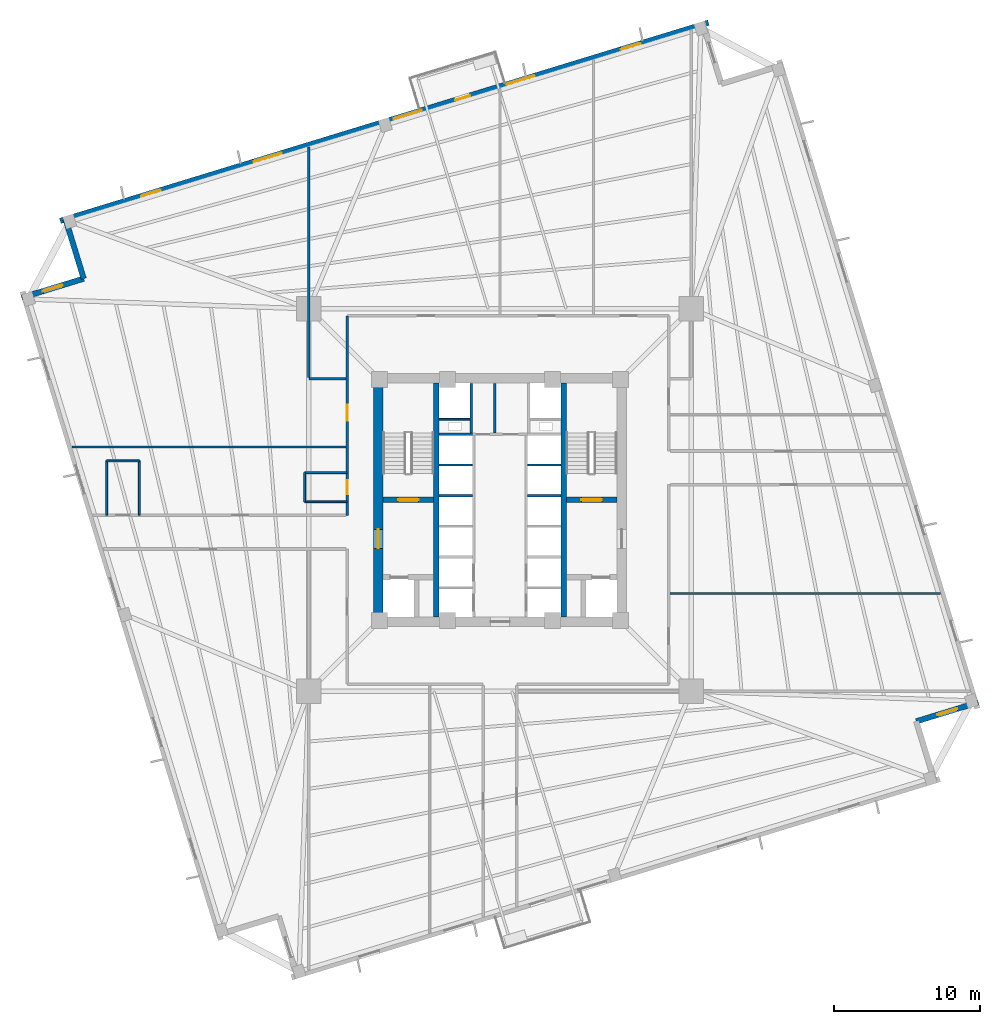
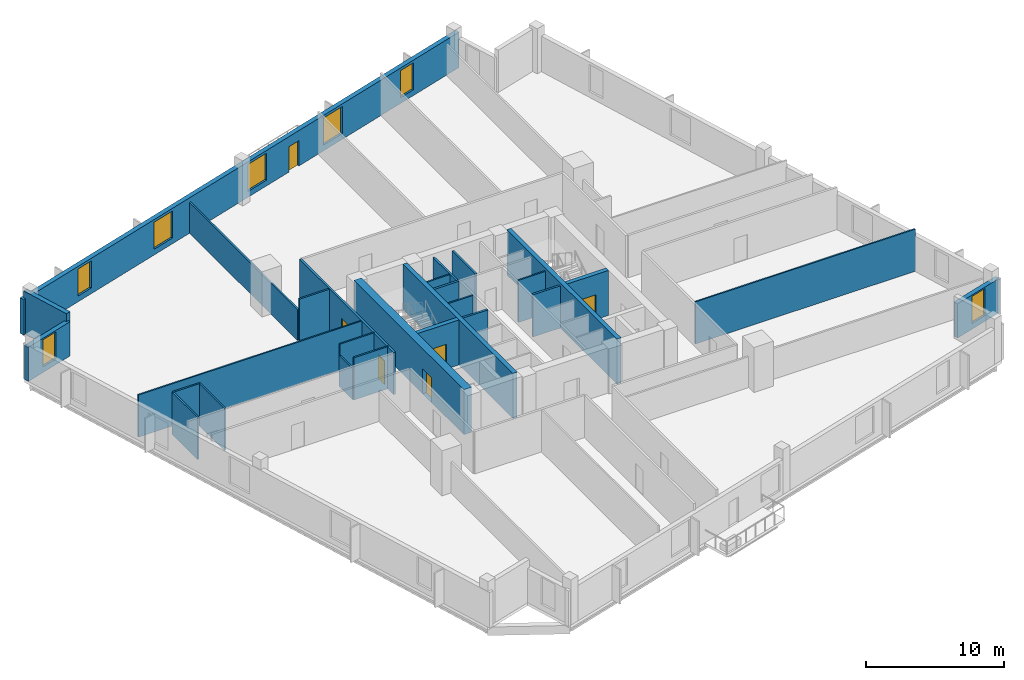
# One storey, part 4 of 9: 28 walls, 7 windows, 6 doors, 13 openings.
"""IFC4 building model written with IfcOpenShell, lengths in metres."""

from ifc_helpers import new_model, si_unit, direction, frame, frame_2d, origin, place, context, subcontext, project, spatial, rectangle, extrude, source, transform, mapped, material, layer, layer_set, type_object, element, fill, save


model = new_model("IFC4")

# Units and contexts
model_context = context("Model", 3, precision=1e-05, world=origin(), true_north=direction((0.0, 1.0)))
body_context = subcontext(model_context, "Body", "Model", "MODEL_VIEW")
ifc_project = project(units=[si_unit("LENGTHUNIT", "METRE"), si_unit("AREAUNIT", "SQUARE_METRE"), si_unit("VOLUMEUNIT", "CUBIC_METRE"), si_unit("PLANEANGLEUNIT", "RADIAN"), si_unit("MASSUNIT", "GRAM", prefix="KILO"), si_unit("THERMODYNAMICTEMPERATUREUNIT", "KELVIN")], contexts=[model_context])

# Site, building, storey
site_placement = place(None, origin())
site = spatial("IfcSite", under=ifc_project, at=site_placement, CompositionType="ELEMENT")
building_placement = place(site_placement, origin())
building = spatial("IfcBuilding", under=site, at=building_placement, Name="Kosmvard Interchange Tower", CompositionType="ELEMENT")
storey_placement = place(building_placement, frame((0.0, 0.0, 127.199951171875)))
storey = spatial("IfcBuildingStorey", under=building, at=storey_placement, Name="L30", CompositionType="ELEMENT", Elevation=127.199951171875)

# Walls
ifc_material_1 = material(Name="Acoustic gypsum partition system")
ifc_layer_1 = layer(ifc_material_1, 0.14990234375, Name="Acoustic gypsum partition system")
ifc_layer_set_1 = layer_set([ifc_layer_1], Name="Acoustic gypsum partition system")
wall_type_1 = type_object("IfcWallType", Name="Acoustic Suite & Meeting Partition 150", PredefinedType="PARTITIONING", material=ifc_layer_set_1)
wall_1_placement = place(storey_placement, frame((-10.544921875, 8.300048828125, 0.0), z_axis=(0.0, 0.0, 1.0), x_axis=(-1.0, 0.0, 0.0)))
element("IfcWall", 1, at=wall_1_placement, inside=storey, type_object=wall_type_1, Name="L30 Room Partition 01.1", PredefinedType="PARTITIONING", context=body_context, shape_type="SweptSolid", body=[
    extrude(rectangle(XDim=2.5361328125, YDim=0.14990234375, at=frame_2d((1.26806640625, 0.0))), origin(), (0.0, 0.0, 1.0), 3.739990234375),
])
wall_2_placement = place(storey_placement, frame((-13.0810546875, 8.375, 0.0), z_axis=(0.0, 0.0, 1.0), x_axis=(0.0, 1.0, 0.0)))
element("IfcWall", 2, at=wall_2_placement, inside=storey, type_object=wall_type_1, Name="L30 Room Partition 02.1", PredefinedType="PARTITIONING", context=body_context, shape_type="SweptSolid", body=[
    extrude(rectangle(XDim=15.79150390625, YDim=0.14990234375, at=frame_2d((7.895751953125, 0.0))), origin(), (0.0, 0.0, 1.0), 2.73193359375),
])
ifc_material_2 = material(Name="Fire-rated gypsum partition system")
ifc_layer_2 = layer(ifc_material_2, 0.159912109375, Name="Fire-rated gypsum partition system")
ifc_layer_set_2 = layer_set([ifc_layer_2], Name="Fire-rated gypsum partition system")
wall_type_2 = type_object("IfcWallType", Name="Core Compartment & Shuttle Lobby Partition 160", PredefinedType="PARTITIONING", material=ifc_layer_set_2)
wall_3_placement = place(storey_placement, frame((-1.9599609375, 4.580078125, 0.0), z_axis=(0.0, 0.0, 1.0), x_axis=(0.0, 1.0, 0.0)))
element("IfcWall", 3, at=wall_3_placement, inside=storey, type_object=wall_type_2, Name="L30 North Core West Wall", PredefinedType="PARTITIONING", context=body_context, shape_type="SweptSolid", body=[
    extrude(rectangle(XDim=3.39990234375, YDim=0.159912109375, at=frame_2d((1.699951171875, 0.0))), origin(), (0.0, 0.0, 1.0), 3.739990234375),
])
ifc_material_3 = material(Name="Concrete blockwork masonry", Category="masonry")
ifc_layer_3 = layer(ifc_material_3, 0.159912109375, Name="Concrete blockwork masonry")
ifc_layer_set_3 = layer_set([ifc_layer_3], Name="Concrete blockwork masonry")
wall_type_3 = type_object("IfcWallType", Name="Core Enclosure Split Wall 160", PredefinedType="PARTITIONING", material=ifc_layer_set_3)
wall_4_placement = place(storey_placement, frame((-0.35009765625, 4.60009765625, 0.0), z_axis=(0.0, 0.0, 1.0), x_axis=(0.0, 1.0, 0.0)))
element("IfcWall", 4, at=wall_4_placement, inside=storey, type_object=wall_type_3, Name="L30 Core K2 Split Wall", PredefinedType="PARTITIONING", context=body_context, shape_type="SweptSolid", body=[
    extrude(rectangle(XDim=3.3798828125, YDim=0.159912109375, at=frame_2d((1.68994140625, 0.0))), origin(), (0.0, 0.0, 1.0), 3.739990234375),
])

# Wall, openings, doors
ifc_layer_4 = layer(ifc_material_2, 0.179931640625, Name="Fire-rated gypsum partition system")
ifc_layer_set_4 = layer_set([ifc_layer_4], Name="Fire-rated gypsum partition system")
wall_type_4 = type_object("IfcWallType", Name="Corridor & Hotel Compartment Partition 180", PredefinedType="PARTITIONING", material=ifc_layer_set_4)
wall_5_placement = place(storey_placement, frame((-10.449951171875, -1.050048828125, 0.0), z_axis=(0.0, 0.0, 1.0), x_axis=(0.0, 1.0, 0.0)))
wall_5 = element("IfcWall", 5, at=wall_5_placement, inside=storey, type_object=wall_type_4, Name="L30 Corridor Wall CWN", PredefinedType="PARTITIONING", context=body_context, shape_type="SweptSolid", body=[
    extrude(rectangle(XDim=13.650146484375, YDim=0.179931640625, at=frame_2d((6.8251953125, 0.0))), origin(), (0.0, 0.0, 1.0), 3.739990234375),
])
opening_1_placement = place(wall_5_placement, frame((1.455078125, 0.0, 0.0)))
opening_1 = element("IfcOpeningElement", 6, at=opening_1_placement, cuts=wall_5, Name="Opening L30-D01", PredefinedType="OPENING", context=body_context, shape_type="SweptSolid", body=[
    extrude(rectangle(XDim=0.949951171875, YDim=2.10009765625, at=frame_2d((0.47509765625, 1.050048828125))), frame((0.0, 0.10009765625, 0.0), z_axis=(0.0, -1.0, 0.0), x_axis=(1.0, 0.0, 0.0)), (0.0, 0.0, 1.0), 0.199951171875),
])
opening_2_placement = place(wall_5_placement, frame((6.46240234375, 0.0, 0.0)))
opening_2 = element("IfcOpeningElement", 7, at=opening_2_placement, cuts=wall_5, Name="Opening L30-D04", PredefinedType="OPENING", context=body_context, shape_type="SweptSolid", body=[
    extrude(rectangle(XDim=1.10009765625, YDim=2.199951171875, at=frame_2d((0.550048828125, 1.10009765625))), frame((0.0, 0.10009765625, 0.0), z_axis=(0.0, -1.0, 0.0), x_axis=(1.0, 0.0, 0.0)), (0.0, 0.0, 1.0), 0.199951171875),
])
ifc_material_4 = material(Name="Laminated moisture-resistant timber", Category="wood")
door_type_1 = type_object("IfcDoorType", Name="Accessible Washroom Door 950x2100", OperationType="NOTDEFINED", PredefinedType="DOOR", material=ifc_material_4)
shared_shape_1 = source(origin(), body_context, "Body", "SweptSolid", [
    extrude(rectangle(XDim=0.949951171875, YDim=2.10009765625, at=frame_2d((0.47509765625, 1.050048828125))), frame((0.0, 0.02490234375, 0.0), z_axis=(0.0, -1.0, 0.0), x_axis=(1.0, 0.0, 0.0)), (0.0, 0.0, 1.0), 0.050048828125),
])
door_1_placement = place(opening_1_placement, origin())
door_1 = element("IfcDoor", 8, at=door_1_placement, inside=storey, type_object=door_type_1, Name="L30 Accessible Toilet Door", OperationType="SINGLE_SWING_LEFT", OverallHeight=2.10009765625, OverallWidth=0.949951171875, PredefinedType="DOOR", context=body_context, shape_type="MappedRepresentation", body=[
    mapped(shared_shape_1, transform((0.0, 0.0, 0.0), scale=1.0)),
])
fill(opening_1, door_1)
ifc_material_5 = material(Name="Engineered oak fire-rated timber", Category="wood")
door_type_2 = type_object("IfcDoorType", Name="Office Suite Entrance Door 1100x2200 FD30S", OperationType="NOTDEFINED", PredefinedType="DOOR", material=ifc_material_5)
shared_shape_2 = source(origin(), body_context, "Body", "SweptSolid", [
    extrude(rectangle(XDim=1.10009765625, YDim=2.199951171875, at=frame_2d((0.550048828125, 1.10009765625))), frame((0.0, 0.02490234375, 0.0), z_axis=(0.0, -1.0, 0.0), x_axis=(1.0, 0.0, 0.0)), (0.0, 0.0, 1.0), 0.050048828125),
])
door_2_placement = place(opening_2_placement, origin())
door_2 = element("IfcDoor", 9, at=door_2_placement, inside=storey, type_object=door_type_2, Name="L30 Document Vault Store Door", OperationType="SINGLE_SWING_RIGHT", OverallHeight=2.199951171875, OverallWidth=1.10009765625, PredefinedType="DOOR", context=body_context, shape_type="MappedRepresentation", body=[
    mapped(shared_shape_2, transform((0.0, 0.0, 0.0), scale=1.0)),
])
fill(opening_2, door_2)

# Wall, opening, window
ifc_material_6 = material(Name="Precast concrete C45/55", Category="concrete")
ifc_layer_5 = layer(ifc_material_6, 0.3798828125, Name="Precast concrete C45/55")
ifc_layer_set_5 = layer_set([ifc_layer_5], Name="Precast concrete C45/55")
wall_type_5 = type_object("IfcWallType", Name="Lower Tower Precast Pier Wall 380 C45/55", PredefinedType="STANDARD", material=ifc_layer_set_5)
wall_6_placement = place(storey_placement, frame((28.482421875, -15.144287109375, 0.0), z_axis=(0.0, 0.0, 1.0), x_axis=(0.956304176051, 0.292373601522, 0.0)))
wall_6 = element("IfcWall", 10, at=wall_6_placement, inside=storey, type_object=wall_type_5, Name="L30 Precast Facade Wall N-SE2", PredefinedType="STANDARD", context=body_context, shape_type="SweptSolid", body=[
    extrude(rectangle(XDim=4.43994140625, YDim=0.3798828125, at=frame_2d((2.219970703125, 0.0))), origin(), (0.0, 0.0, 1.0), 3.0400390625),
])
opening_3_placement = place(wall_6_placement, frame((1.52001953125, 0.0, 0.510009765625)))
opening_3 = element("IfcOpeningElement", 11, at=opening_3_placement, cuts=wall_6, Name="Opening L30-W20", PredefinedType="OPENING", context=body_context, shape_type="SweptSolid", body=[
    extrude(rectangle(XDim=1.39990234375, YDim=2.39990234375, at=frame_2d((0.699951171875, 1.199951171875))), frame((0.0, 0.199951171875, 0.0), z_axis=(0.0, -1.0, 0.0), x_axis=(1.0, 0.0, 0.0)), (0.0, 0.0, 1.0), 0.39990234375),
])
ifc_material_7 = material(Name="Low-E solar-control double glazing", Category="glass")
window_type_1 = type_object("IfcWindowType", Name="Notched Corner Feature Window 1400x2400", PartitioningType="SINGLE_PANEL", PredefinedType="WINDOW", material=ifc_material_7)
shared_shape_3 = source(origin(), body_context, "Body", "SweptSolid", [
    extrude(rectangle(XDim=1.39990234375, YDim=2.39990234375, at=frame_2d((0.699951171875, 1.199951171875))), frame((0.0, 0.030029296875, 0.0), z_axis=(0.0, -1.0, 0.0), x_axis=(1.0, 0.0, 0.0)), (0.0, 0.0, 1.0), 0.06005859375),
])
window_1_placement = place(opening_3_placement, origin())
window_1 = element("IfcWindow", 12, at=window_1_placement, inside=storey, type_object=window_type_1, Name="L30 Corner Notch Window 20", OverallHeight=2.39990234375, OverallWidth=1.39990234375, PartitioningType="SINGLE_PANEL", PredefinedType="WINDOW", context=body_context, shape_type="MappedRepresentation", body=[
    mapped(shared_shape_3, transform((0.0, 0.0, 0.0), scale=1.0)),
])
fill(opening_3, window_1)

# Wall, openings, door, windows
wall_7_placement = place(storey_placement, frame((14.26513671875, 32.65771484375, 0.0), z_axis=(0.0, 0.0, 1.0), x_axis=(-0.956304320851, -0.292373127906, 0.0)))
wall_7 = element("IfcWall", 13, at=wall_7_placement, inside=storey, type_object=wall_type_5, Name="L30 Precast Facade Wall F-N", PredefinedType="STANDARD", context=body_context, shape_type="SweptSolid", body=[
    extrude(rectangle(XDim=46.380126953125, YDim=0.3798828125, at=frame_2d((23.18994140625, 0.0))), origin(), (0.0, 0.0, 1.0), 3.14013671875),
])
opening_4_placement = place(wall_7_placement, frame((17.06494140625, 0.0, 0.0)))
opening_4 = element("IfcOpeningElement", 14, at=opening_4_placement, cuts=wall_7, Name="Opening L30-BDN", PredefinedType="OPENING", context=body_context, shape_type="SweptSolid", body=[
    extrude(rectangle(XDim=1.050048828125, YDim=2.25, at=frame_2d((0.52490234375, 1.125))), frame((0.0, 0.199951171875, 0.0), z_axis=(0.0, -1.0, 0.0), x_axis=(1.0, 0.0, 0.0)), (0.0, 0.0, 1.0), 0.39990234375),
])
opening_5_placement = place(wall_7_placement, frame((4.865478515625, 0.0, 0.510009765625)))
opening_5 = element("IfcOpeningElement", 15, at=opening_5_placement, cuts=wall_7, Name="Opening L30-W10", PredefinedType="OPENING", context=body_context, shape_type="SweptSolid", body=[
    extrude(rectangle(XDim=1.39990234375, YDim=2.39990234375, at=frame_2d((0.699951171875, 1.199951171875))), frame((0.0, 0.199951171875, 0.0), z_axis=(0.0, -1.0, 0.0), x_axis=(1.0, 0.0, 0.0)), (0.0, 0.0, 1.0), 0.39990234375),
])
opening_6_placement = place(wall_7_placement, frame((12.4501953125, 0.0, 0.510009765625)))
opening_6 = element("IfcOpeningElement", 16, at=opening_6_placement, cuts=wall_7, Name="Opening L30-W11", PredefinedType="OPENING", context=body_context, shape_type="SweptSolid", body=[
    extrude(rectangle(XDim=2.0, YDim=2.39990234375, at=frame_2d((1.0, 1.199951171875))), frame((0.0, 0.199951171875, 0.0), z_axis=(0.0, -1.0, 0.0), x_axis=(1.0, 0.0, 0.0)), (0.0, 0.0, 1.0), 0.39990234375),
])
opening_7_placement = place(wall_7_placement, frame((20.512451171875, 0.0, 0.510009765625)))
opening_7 = element("IfcOpeningElement", 17, at=opening_7_placement, cuts=wall_7, Name="Opening L30-W12", PredefinedType="OPENING", context=body_context, shape_type="SweptSolid", body=[
    extrude(rectangle(XDim=2.0, YDim=2.39990234375, at=frame_2d((1.0, 1.199951171875))), frame((0.0, 0.199951171875, 0.0), z_axis=(0.0, -1.0, 0.0), x_axis=(1.0, 0.0, 0.0)), (0.0, 0.0, 1.0), 0.39990234375),
])
opening_8_placement = place(wall_7_placement, frame((30.538330078125, 0.0, 0.510009765625)))
opening_8 = element("IfcOpeningElement", 18, at=opening_8_placement, cuts=wall_7, Name="Opening L30-W13", PredefinedType="OPENING", context=body_context, shape_type="SweptSolid", body=[
    extrude(rectangle(XDim=2.0, YDim=2.39990234375, at=frame_2d((1.0, 1.199951171875))), frame((0.0, 0.199951171875, 0.0), z_axis=(0.0, -1.0, 0.0), x_axis=(1.0, 0.0, 0.0)), (0.0, 0.0, 1.0), 0.39990234375),
])
opening_9_placement = place(wall_7_placement, frame((39.186767578125, 0.0, 0.510009765625)))
opening_9 = element("IfcOpeningElement", 19, at=opening_9_placement, cuts=wall_7, Name="Opening L30-W14", PredefinedType="OPENING", context=body_context, shape_type="SweptSolid", body=[
    extrude(rectangle(XDim=1.39990234375, YDim=2.39990234375, at=frame_2d((0.699951171875, 1.199951171875))), frame((0.0, 0.199951171875, 0.0), z_axis=(0.0, -1.0, 0.0), x_axis=(1.0, 0.0, 0.0)), (0.0, 0.0, 1.0), 0.39990234375),
])
ifc_material_8 = material(Name="Anodised aluminium and safety glass", Category="aluminium")
door_type_3 = type_object("IfcDoorType", Name="Tree-Balcony Glazed Door 1050x2250", OperationType="NOTDEFINED", PredefinedType="DOOR", material=ifc_material_8)
shared_shape_4 = source(origin(), body_context, "Body", "SweptSolid", [
    extrude(rectangle(XDim=1.050048828125, YDim=2.25, at=frame_2d((0.52490234375, 1.125))), frame((0.0, 0.02490234375, 0.0), z_axis=(0.0, -1.0, 0.0), x_axis=(1.0, 0.0, 0.0)), (0.0, 0.0, 1.0), 0.050048828125),
])
door_3_placement = place(opening_4_placement, origin())
door_3 = element("IfcDoor", 20, at=door_3_placement, inside=storey, type_object=door_type_3, Name="L30 Tree-Balcony Door BAL-L30-N", OperationType="SINGLE_SWING_LEFT", OverallHeight=2.25, OverallWidth=1.050048828125, PredefinedType="DOOR", context=body_context, shape_type="MappedRepresentation", body=[
    mapped(shared_shape_4, transform((0.0, 0.0, 0.0), scale=1.0)),
])
fill(opening_4, door_3)
window_2_placement = place(opening_5_placement, origin())
window_2 = element("IfcWindow", 21, at=window_2_placement, inside=storey, type_object=window_type_1, Name="L30 Facade Punched Window 10", OverallHeight=2.39990234375, OverallWidth=1.39990234375, PartitioningType="SINGLE_PANEL", PredefinedType="WINDOW", context=body_context, shape_type="MappedRepresentation", body=[
    mapped(shared_shape_3, transform((0.0, 0.0, 0.0), scale=1.0)),
])
fill(opening_5, window_2)
window_3_placement = place(opening_9_placement, origin())
window_3 = element("IfcWindow", 22, at=window_3_placement, inside=storey, type_object=window_type_1, Name="L30 Facade Punched Window 14", OverallHeight=2.39990234375, OverallWidth=1.39990234375, PartitioningType="SINGLE_PANEL", PredefinedType="WINDOW", context=body_context, shape_type="MappedRepresentation", body=[
    mapped(shared_shape_3, transform((0.0, 0.0, 0.0), scale=1.0)),
])
fill(opening_9, window_3)
window_type_2 = type_object("IfcWindowType", Name="Zone 2 Office Punched Window 2000x2400", PartitioningType="SINGLE_PANEL", PredefinedType="WINDOW", material=ifc_material_7)
shared_shape_5 = source(origin(), body_context, "Body", "SweptSolid", [
    extrude(rectangle(XDim=2.0, YDim=2.39990234375, at=frame_2d((1.0, 1.199951171875))), frame((0.0, 0.030029296875, 0.0), z_axis=(0.0, -1.0, 0.0), x_axis=(1.0, 0.0, 0.0)), (0.0, 0.0, 1.0), 0.06005859375),
])
window_4_placement = place(opening_6_placement, origin())
window_4 = element("IfcWindow", 23, at=window_4_placement, inside=storey, type_object=window_type_2, Name="L30 Facade Punched Window 11", OverallHeight=2.39990234375, OverallWidth=2.0, PartitioningType="SINGLE_PANEL", PredefinedType="WINDOW", context=body_context, shape_type="MappedRepresentation", body=[
    mapped(shared_shape_5, transform((0.0, 0.0, 0.0), scale=1.0)),
])
fill(opening_6, window_4)
window_5_placement = place(opening_7_placement, origin())
window_5 = element("IfcWindow", 24, at=window_5_placement, inside=storey, type_object=window_type_2, Name="L30 Facade Punched Window 12", OverallHeight=2.39990234375, OverallWidth=2.0, PartitioningType="SINGLE_PANEL", PredefinedType="WINDOW", context=body_context, shape_type="MappedRepresentation", body=[
    mapped(shared_shape_5, transform((0.0, 0.0, 0.0), scale=1.0)),
])
fill(opening_7, window_5)
window_6_placement = place(opening_8_placement, origin())
window_6 = element("IfcWindow", 25, at=window_6_placement, inside=storey, type_object=window_type_2, Name="L30 Facade Punched Window 13", OverallHeight=2.39990234375, OverallWidth=2.0, PartitioningType="SINGLE_PANEL", PredefinedType="WINDOW", context=body_context, shape_type="MappedRepresentation", body=[
    mapped(shared_shape_5, transform((0.0, 0.0, 0.0), scale=1.0)),
])
fill(opening_8, window_6)

# Wall
wall_8_placement = place(storey_placement, frame((-29.724853515625, 19.20849609375, 0.0), z_axis=(0.0, 0.0, 1.0), x_axis=(0.292345507338, -0.956312764915, 0.0)))
element("IfcWall", 26, at=wall_8_placement, inside=storey, type_object=wall_type_5, Name="L30 Precast Facade Wall N-NW1", PredefinedType="STANDARD", context=body_context, shape_type="SweptSolid", body=[
    extrude(rectangle(XDim=4.249755859375, YDim=0.3798828125, at=frame_2d((2.125, 0.0))), origin(), (0.0, 0.0, 1.0), 3.739990234375),
])

# Wall, opening, window
wall_9_placement = place(storey_placement, frame((-28.482421875, 15.144287109375, 0.0), z_axis=(0.0, 0.0, 1.0), x_axis=(-0.956304176051, -0.292373601522, 0.0)))
wall_9 = element("IfcWall", 27, at=wall_9_placement, inside=storey, type_object=wall_type_5, Name="L30 Precast Facade Wall N-NW2", PredefinedType="STANDARD", context=body_context, shape_type="SweptSolid", body=[
    extrude(rectangle(XDim=4.43994140625, YDim=0.3798828125, at=frame_2d((2.219970703125, 0.0))), origin(), (0.0, 0.0, 1.0), 3.0400390625),
])
opening_10_placement = place(wall_9_placement, frame((1.52001953125, 0.0, 0.510009765625)))
opening_10 = element("IfcOpeningElement", 28, at=opening_10_placement, cuts=wall_9, Name="Opening L30-W22", PredefinedType="OPENING", context=body_context, shape_type="SweptSolid", body=[
    extrude(rectangle(XDim=1.39990234375, YDim=2.39990234375, at=frame_2d((0.699951171875, 1.199951171875))), frame((0.0, 0.199951171875, 0.0), z_axis=(0.0, -1.0, 0.0), x_axis=(1.0, 0.0, 0.0)), (0.0, 0.0, 1.0), 0.39990234375),
])
window_7_placement = place(opening_10_placement, origin())
window_7 = element("IfcWindow", 29, at=window_7_placement, inside=storey, type_object=window_type_1, Name="L30 Corner Notch Window 22", OverallHeight=2.39990234375, OverallWidth=1.39990234375, PartitioningType="SINGLE_PANEL", PredefinedType="WINDOW", context=body_context, shape_type="MappedRepresentation", body=[
    mapped(shared_shape_3, transform((0.0, 0.0, 0.0), scale=1.0)),
])
fill(opening_10, window_7)

# Wall, opening, door
ifc_material_9 = material(Name="Concrete C70/85", Category="concrete")
ifc_layer_6 = layer(ifc_material_9, 0.64990234375, Name="Concrete C70/85")
ifc_layer_set_6 = layer_set([ifc_layer_6], Name="Concrete C70/85")
wall_type_6 = type_object("IfcWallType", Name="Mid Core Shear Wall 650 C70/85", PredefinedType="SHEAR", material=ifc_layer_set_6)
wall_10_placement = place(storey_placement, frame((-8.324951171875, -8.0, 0.0), z_axis=(0.0, 0.0, 1.0), x_axis=(0.0, 1.0, 0.0)))
wall_10 = element("IfcWall", 30, at=wall_10_placement, inside=storey, type_object=wall_type_6, Name="L30 Core Shear Wall CW-W", PredefinedType="SHEAR", context=body_context, shape_type="SweptSolid", body=[
    extrude(rectangle(XDim=16.0, YDim=0.64990234375, at=frame_2d((8.0, 0.0))), origin(), (0.0, 0.0, 1.0), 4.0),
])
opening_11_placement = place(wall_10_placement, frame((4.68994140625, 0.0, 0.0)))
opening_11 = element("IfcOpeningElement", 31, at=opening_11_placement, cuts=wall_10, Name="Opening L30-FD1", PredefinedType="OPENING", context=body_context, shape_type="SweptSolid", body=[
    extrude(rectangle(XDim=1.300048828125, YDim=2.199951171875, at=frame_2d((0.64990234375, 1.10009765625))), frame((0.0, 0.3349609375, 0.0), z_axis=(0.0, -1.0, 0.0), x_axis=(1.0, 0.0, 0.0)), (0.0, 0.0, 1.0), 0.669921875),
])
ifc_material_10 = material(Name="Painted fire-rated steel leaf", Category="steel")
door_type_4 = type_object("IfcDoorType", Name="Firefighting Lobby Door 1300x2200 EI60", OperationType="NOTDEFINED", PredefinedType="DOOR", material=ifc_material_10)
shared_shape_6 = source(origin(), body_context, "Body", "SweptSolid", [
    extrude(rectangle(XDim=1.300048828125, YDim=2.199951171875, at=frame_2d((0.64990234375, 1.10009765625))), frame((0.0, 0.02490234375, 0.0), z_axis=(0.0, -1.0, 0.0), x_axis=(1.0, 0.0, 0.0)), (0.0, 0.0, 1.0), 0.050048828125),
])
door_4_placement = place(opening_11_placement, frame((1.300048828125, 0.0, 0.0), z_axis=(0.0, 0.0, 1.0), x_axis=(-1.0, 0.0, 0.0)))
door_4 = element("IfcDoor", 32, at=door_4_placement, inside=storey, type_object=door_type_4, Name="L30 Firefighting Lobby West Door", OperationType="SINGLE_SWING_LEFT", OverallHeight=2.199951171875, OverallWidth=1.300048828125, PredefinedType="DOOR", context=body_context, shape_type="MappedRepresentation", body=[
    mapped(shared_shape_6, transform((0.0, 0.0, 0.0), scale=1.0)),
])
fill(opening_11, door_4)

# Walls
ifc_material_11 = material(Name="Gypsum board partition system")
ifc_layer_7 = layer(ifc_material_11, 0.1201171875, Name="Gypsum board partition system")
ifc_layer_set_7 = layer_set([ifc_layer_7], Name="Gypsum board partition system")
wall_type_7 = type_object("IfcWallType", Name="Office Cellular Partition 120", PredefinedType="PARTITIONING", material=ifc_layer_set_7)
wall_11_placement = place(storey_placement, frame((-29.27392578125, 3.625, 0.0), z_axis=(0.0, 0.0, 1.0), x_axis=(1.0, 0.0, 0.0)))
element("IfcWall", 33, at=wall_11_placement, inside=storey, type_object=wall_type_7, Name="L30 Room Partition 07.1", PredefinedType="PARTITIONING", context=body_context, shape_type="SweptSolid", body=[
    extrude(rectangle(XDim=18.72900390625, YDim=0.1201171875, at=frame_2d((9.364501953125, 0.0))), origin(), (0.0, 0.0, 1.0), 3.739990234375),
])
wall_12_placement = place(storey_placement, frame((11.64501953125, -6.39990234375, 0.0), z_axis=(0.0, 0.0, 1.0), x_axis=(1.0, 0.0, 0.0)))
element("IfcWall", 34, at=wall_12_placement, inside=storey, type_object=wall_type_7, Name="L30 Room Partition 10.1", PredefinedType="PARTITIONING", context=body_context, shape_type="SweptSolid", body=[
    extrude(rectangle(XDim=18.477294921875, YDim=0.1201171875, at=frame_2d((9.23876953125, 0.0))), origin(), (0.0, 0.0, 1.0), 3.739990234375),
])
ifc_layer_8 = layer(ifc_material_3, 0.179931640625, Name="Concrete blockwork masonry")
ifc_layer_set_8 = layer_set([ifc_layer_8], Name="Concrete blockwork masonry")
wall_type_8 = type_object("IfcWallType", Name="Riser & Lift Bank Divider Wall 180", PredefinedType="PARTITIONING", material=ifc_layer_set_8)
for number, where, z_axis, x_axis, name in (
    (35, (-4.169921875, 0.300048828125, 0.0), (0.0, 0.0, 1.0), (1.0, 0.0, 0.0), "L30 West Bank Divider BD2"),
    (36, (1.889892578125, 0.300048828125, 0.0), (0.0, 0.0, 1.0), (1.0, 0.0, 0.0), "L30 East Bank Divider BD2"),
    (37, (-4.169921875, 4.489990234375, 0.0), (0.0, 0.0, 1.0), (1.0, 0.0, 0.0), "L30 West Bank Divider BD3"),
):
    element("IfcWall", number, at=place(storey_placement, frame(where, z_axis=z_axis, x_axis=x_axis)), inside=storey, type_object=wall_type_8, Name=name, PredefinedType="PARTITIONING", context=body_context, shape_type="SweptSolid", body=[
        extrude(rectangle(XDim=2.280029296875, YDim=0.179931640625, at=frame_2d((1.14013671875, 0.0))), origin(), (0.0, 0.0, 1.0), 3.739990234375),
    ])
ifc_material_12 = material(Name="Fire-rated gypsum shaftwall system")
ifc_layer_9 = layer(ifc_material_12, 0.1201171875, Name="Fire-rated gypsum shaftwall system")
ifc_layer_set_9 = layer_set([ifc_layer_9], Name="Fire-rated gypsum shaftwall system")
wall_type_9 = type_object("IfcWallType", Name="Shaft & Riser Fire Partition 120 EI60", PredefinedType="PARTITIONING", material=ifc_layer_set_9)
for number, where, z_axis, x_axis, name in (
    (38, (-4.159912109375, 2.39990234375, 0.0), (0.0, 0.0, 1.0), (1.0, 0.0, 0.0), "L30 Shaft Divider PL-H1"),
    (39, (1.89990234375, 2.39990234375, 0.0), (0.0, 0.0, 1.0), (1.0, 0.0, 0.0), "L30 Shaft Divider PL-H3"),
):
    element("IfcWall", number, at=place(storey_placement, frame(where, z_axis=z_axis, x_axis=x_axis)), inside=storey, type_object=wall_type_9, Name=name, PredefinedType="PARTITIONING", context=body_context, shape_type="SweptSolid", body=[
        extrude(rectangle(XDim=2.260009765625, YDim=0.1201171875, at=frame_2d((1.1298828125, 0.0))), origin(), (0.0, 0.0, 1.0), 3.739990234375),
    ])
wall_13_placement = place(storey_placement, frame((-4.159912109375, 5.52001953125, 0.0), z_axis=(0.0, 0.0, 1.0), x_axis=(1.0, 0.0, 0.0)))
element("IfcWall", 40, at=wall_13_placement, inside=storey, type_object=wall_type_9, Name="L30 Riser Shaft Divider W", PredefinedType="PARTITIONING", context=body_context, shape_type="SweptSolid", body=[
    extrude(rectangle(XDim=2.099853515625, YDim=0.1201171875, at=frame_2d((1.0498046875, 0.0))), origin(), (0.0, 0.0, 1.0), 3.739990234375),
])
ifc_material_13 = material(Name="Concrete C60/75", Category="concrete")
ifc_layer_10 = layer(ifc_material_13, 0.360107421875, Name="Concrete C60/75")
ifc_layer_set_10 = layer_set([ifc_layer_10], Name="Concrete C60/75")
wall_type_10 = type_object("IfcWallType", Name="Stair & Lift Shaft Shear Wall 360 C60/75", PredefinedType="SHEAR", material=ifc_layer_set_10)
for number, where, z_axis, x_axis, name in (
    (41, (-4.360107421875, -8.0, 0.0), (0.0, 0.0, 1.0), (0.0, 1.0, 0.0), "L30 Shaft Shear Wall SW-W"),
    (42, (4.360107421875, -8.0, 0.0), (0.0, 0.0, 1.0), (0.0, 1.0, 0.0), "L30 Shaft Shear Wall SW-E"),
):
    element("IfcWall", number, at=place(storey_placement, frame(where, z_axis=z_axis, x_axis=x_axis)), inside=storey, type_object=wall_type_10, Name=name, PredefinedType="SHEAR", context=body_context, shape_type="SweptSolid", body=[
        extrude(rectangle(XDim=16.0, YDim=0.360107421875, at=frame_2d((8.0, 0.0))), origin(), (0.0, 0.0, 1.0), 4.0),
    ])

# Wall, opening, door
wall_14_placement = place(storey_placement, frame((-8.0, 0.02001953125, 0.0), z_axis=(0.0, 0.0, 1.0), x_axis=(1.0, 0.0, 0.0)))
wall_14 = element("IfcWall", 43, at=wall_14_placement, inside=storey, type_object=wall_type_10, Name="L30 Shaft Shear Wall SW-ST1", PredefinedType="SHEAR", context=body_context, shape_type="SweptSolid", body=[
    extrude(rectangle(XDim=3.4599609375, YDim=0.360107421875, at=frame_2d((1.72998046875, 0.0))), origin(), (0.0, 0.0, 1.0), 4.0),
])
opening_12_placement = place(wall_14_placement, frame((1.030029296875, 0.0, 0.0)))
opening_12 = element("IfcOpeningElement", 44, at=opening_12_placement, cuts=wall_14, Name="Opening L30-SD1", PredefinedType="OPENING", context=body_context, shape_type="SweptSolid", body=[
    extrude(rectangle(XDim=1.39990234375, YDim=2.199951171875, at=frame_2d((0.699951171875, 1.10009765625))), frame((0.0, 0.18994140625, 0.0), z_axis=(0.0, -1.0, 0.0), x_axis=(1.0, 0.0, 0.0)), (0.0, 0.0, 1.0), 0.380126953125),
])
door_type_5 = type_object("IfcDoorType", Name="Protected Stair Door 1400x2200 FD60S", OperationType="NOTDEFINED", PredefinedType="DOOR", material=ifc_material_10)
shared_shape_7 = source(origin(), body_context, "Body", "SweptSolid", [
    extrude(rectangle(XDim=1.39990234375, YDim=2.199951171875, at=frame_2d((0.699951171875, 1.10009765625))), frame((0.0, 0.02490234375, 0.0), z_axis=(0.0, -1.0, 0.0), x_axis=(1.0, 0.0, 0.0)), (0.0, 0.0, 1.0), 0.050048828125),
])
door_5_placement = place(opening_12_placement, origin())
door_5 = element("IfcDoor", 45, at=door_5_placement, inside=storey, type_object=door_type_5, Name="L30 Stair ST-1 Enclosure Door", OperationType="SINGLE_SWING_LEFT", OverallHeight=2.199951171875, OverallWidth=1.39990234375, PredefinedType="DOOR", context=body_context, shape_type="MappedRepresentation", body=[
    mapped(shared_shape_7, transform((0.0, 0.0, 0.0), scale=1.0)),
])
fill(opening_12, door_5)

wall_15_placement = place(storey_placement, frame((4.5400390625, 0.02001953125, 0.0), z_axis=(0.0, 0.0, 1.0), x_axis=(1.0, 0.0, 0.0)))
wall_15 = element("IfcWall", 46, at=wall_15_placement, inside=storey, type_object=wall_type_10, Name="L30 Shaft Shear Wall SW-ST2", PredefinedType="SHEAR", context=body_context, shape_type="SweptSolid", body=[
    extrude(rectangle(XDim=3.4599609375, YDim=0.360107421875, at=frame_2d((1.72998046875, 0.0))), origin(), (0.0, 0.0, 1.0), 4.0),
])
opening_13_placement = place(wall_15_placement, frame((1.030029296875, 0.0, 0.0)))
opening_13 = element("IfcOpeningElement", 47, at=opening_13_placement, cuts=wall_15, Name="Opening L30-SD2", PredefinedType="OPENING", context=body_context, shape_type="SweptSolid", body=[
    extrude(rectangle(XDim=1.39990234375, YDim=2.199951171875, at=frame_2d((0.699951171875, 1.10009765625))), frame((0.0, 0.18994140625, 0.0), z_axis=(0.0, -1.0, 0.0), x_axis=(1.0, 0.0, 0.0)), (0.0, 0.0, 1.0), 0.380126953125),
])
door_6_placement = place(opening_13_placement, origin())
door_6 = element("IfcDoor", 48, at=door_6_placement, inside=storey, type_object=door_type_5, Name="L30 Stair ST-2 Enclosure Door", OperationType="SINGLE_SWING_RIGHT", OverallHeight=2.199951171875, OverallWidth=1.39990234375, PredefinedType="DOOR", context=body_context, shape_type="MappedRepresentation", body=[
    mapped(shared_shape_7, transform((0.0, 0.0, 0.0), scale=1.0)),
])
fill(opening_13, door_6)

# Walls
ifc_material_14 = material(Name="Moisture-resistant gypsum partition")
ifc_layer_11 = layer(ifc_material_14, 0.135009765625, Name="Moisture-resistant gypsum partition")
ifc_layer_set_11 = layer_set([ifc_layer_11], Name="Moisture-resistant gypsum partition")
wall_type_11 = type_object("IfcWallType", Name="Wet Room Moisture-Resistant Partition 135", PredefinedType="PARTITIONING", material=ifc_layer_set_11)
for number, where, z_axis, x_axis, name in (
    (49, (-13.3701171875, -0.1201171875, 0.0), (0.0, 0.0, 1.0), (1.0, 0.0, 0.0), "L30 Washroom Partition AWC1-S"),
    (50, (-13.3701171875, 1.8798828125, 0.0), (0.0, 0.0, 1.0), (1.0, 0.0, 0.0), "L30 Washroom Partition AWC1-N"),
):
    element("IfcWall", number, at=place(storey_placement, frame(where, z_axis=z_axis, x_axis=x_axis)), inside=storey, type_object=wall_type_11, Name=name, PredefinedType="PARTITIONING", context=body_context, shape_type="SweptSolid", body=[
        extrude(rectangle(XDim=2.900146484375, YDim=0.135009765625, at=frame_2d((1.4501953125, 0.0))), origin(), (0.0, 0.0, 1.0), 3.739990234375),
    ])
wall_16_placement = place(storey_placement, frame((-13.3701171875, -0.1201171875, 0.0), z_axis=(0.0, 0.0, 1.0), x_axis=(0.0, 1.0, 0.0)))
element("IfcWall", 51, at=wall_16_placement, inside=storey, type_object=wall_type_11, Name="L30 Washroom Partition AWC1-W", PredefinedType="PARTITIONING", context=body_context, shape_type="SweptSolid", body=[
    extrude(rectangle(XDim=2.0, YDim=0.135009765625, at=frame_2d((1.0, 0.0))), origin(), (0.0, 0.0, 1.0), 2.73193359375),
])
wall_17_placement = place(storey_placement, frame((-24.664794921875, -1.030029296875, 0.0), z_axis=(0.0, 0.0, 1.0), x_axis=(0.0, 1.0, 0.0)))
element("IfcWall", 52, at=wall_17_placement, inside=storey, type_object=wall_type_11, Name="L30 Washroom Partition WC1-E", PredefinedType="PARTITIONING", context=body_context, shape_type="SweptSolid", body=[
    extrude(rectangle(XDim=3.699951171875, YDim=0.135009765625, at=frame_2d((1.85009765625, 0.0))), origin(), (0.0, 0.0, 1.0), 3.739990234375),
])
wall_18_placement = place(storey_placement, frame((-26.914794921875, 2.669921875, 0.0), z_axis=(0.0, 0.0, 1.0), x_axis=(1.0, 0.0, 0.0)))
element("IfcWall", 53, at=wall_18_placement, inside=storey, type_object=wall_type_11, Name="L30 Washroom Partition WC1-N", PredefinedType="PARTITIONING", context=body_context, shape_type="SweptSolid", body=[
    extrude(rectangle(XDim=2.25, YDim=0.135009765625, at=frame_2d((1.125, 0.0))), origin(), (0.0, 0.0, 1.0), 3.739990234375),
])
wall_19_placement = place(storey_placement, frame((-26.914794921875, -1.030029296875, 0.0), z_axis=(0.0, 0.0, 1.0), x_axis=(0.0, 1.0, 0.0)))
element("IfcWall", 54, at=wall_19_placement, inside=storey, type_object=wall_type_11, Name="L30 Washroom Partition WC1-W", PredefinedType="PARTITIONING", context=body_context, shape_type="SweptSolid", body=[
    extrude(rectangle(XDim=3.699951171875, YDim=0.135009765625, at=frame_2d((1.85009765625, 0.0))), origin(), (0.0, 0.0, 1.0), 3.739990234375),
])

save(model, "model.ifc")
